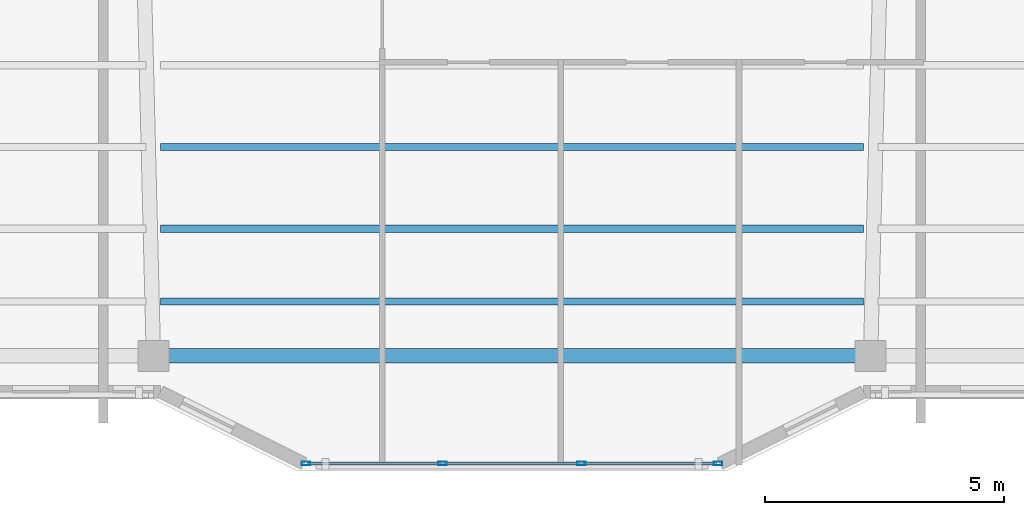
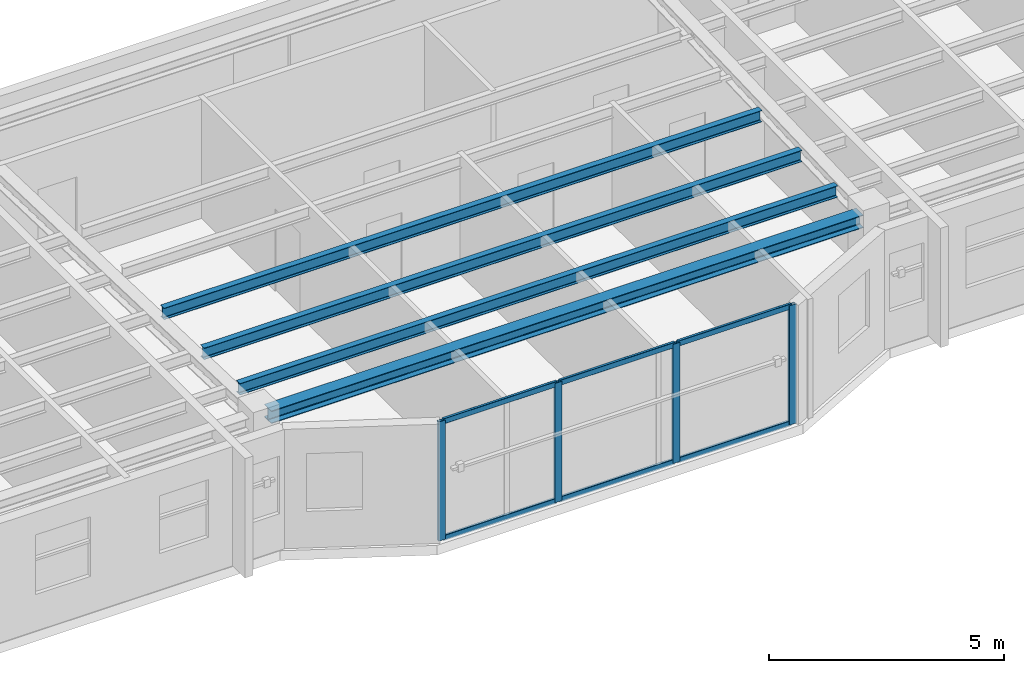
# One storey, part 2 of 13: 10 members, 4 beams, 1 element without a shape of its own.
"""IFC4 building model written with IfcOpenShell, lengths in metres."""

from ifc_helpers import new_model, si_unit, direction, frame, origin, origin_2d, place, context, subcontext, project, spatial, hollow_rectangle, i_section, extrude, material, layer, layer_set, material_profile, profile_set, type_object, element, aggregate, save


model = new_model("IFC4")

# Units and contexts
model_context = context("Model", 3, precision=1e-05, world=origin(), true_north=direction((0.0, 1.0)))
body_context = subcontext(model_context, "Body", "Model", "MODEL_VIEW")
ifc_project = project(units=[si_unit("LENGTHUNIT", "METRE"), si_unit("AREAUNIT", "SQUARE_METRE"), si_unit("VOLUMEUNIT", "CUBIC_METRE"), si_unit("PLANEANGLEUNIT", "RADIAN"), si_unit("MASSUNIT", "GRAM", prefix="KILO")], contexts=[model_context])

# Site, building, storey
site_placement = place(None, origin())
site = spatial("IfcSite", under=ifc_project, at=site_placement, CompositionType="ELEMENT")
building_placement = place(site_placement, origin())
building = spatial("IfcBuilding", under=site, at=building_placement, Name="Tarnavaz Court Tower", CompositionType="ELEMENT")
storey_placement = place(building_placement, frame((0.0, 0.0, 248.199951171875)))
storey = spatial("IfcBuildingStorey", under=building, at=storey_placement, Name="L67", CompositionType="ELEMENT", Elevation=248.199951171875)

# Beams
ifc_material_1 = material(Name="Steel S355", Category="steel")
ifc_material_profile_1 = material_profile(ifc_material_1, i_section(OverallWidth=0.14990234375, OverallDepth=0.300048828125, WebThickness=0.007080078125, FlangeThickness=0.0107421875, FilletRadius=0.014892578125, at=origin_2d()), Name="IPE 300")
ifc_profile_set_1 = profile_set([ifc_material_profile_1], Name="Steel S355")
beam_type_1 = type_object("IfcBeamType", Name="BM-J-IPE300", PredefinedType="JOIST", material=ifc_profile_set_1)
for number, where, z_axis, x_axis, name in (
    (1, (-7.35009765625, -15.72998046875, 2.949951171875), (1.0, 0.0, 0.0), (0.0, 1.0, 0.0), "L67 Beam JS3-2"),
    (2, (-7.35009765625, -17.43994140625, 2.949951171875), (1.0, 0.0, 0.0), (0.0, 1.0, 0.0), "L67 Beam JS4-2"),
    (3, (-7.35009765625, -18.9599609375, 2.949951171875), (1.0, 0.0, 0.0), (0.0, 1.0, 0.0), "L67 Beam JS5-2"),
):
    element("IfcBeam", number, at=place(storey_placement, frame(where, z_axis=z_axis, x_axis=x_axis)), inside=storey, type_object=beam_type_1, Name=name, PredefinedType="JOIST", context=body_context, shape_type="SweptSolid", body=[
        extrude(i_section(OverallWidth=0.14990234375, OverallDepth=0.300048828125, WebThickness=0.007080078125, FlangeThickness=0.0107421875, FilletRadius=0.014892578125, at=origin_2d()), origin(), (0.0, 0.0, 1.0), 14.7001953125),
    ])
ifc_material_profile_2 = material_profile(ifc_material_1, i_section(OverallWidth=0.300048828125, OverallDepth=0.330078125, WebThickness=0.009521484375, FlangeThickness=0.0166015625, FilletRadius=0.027099609375, at=origin_2d()), Name="HEA 340")
ifc_profile_set_2 = profile_set([ifc_material_profile_2], Name="Steel S355")
beam_type_2 = type_object("IfcBeamType", Name="BM-SP-HEA340", PredefinedType="BEAM", material=ifc_profile_set_2)
beam_placement = place(storey_placement, frame((-7.280029296875, -20.10009765625, 2.93505859375), z_axis=(1.0, 0.0, 0.0), x_axis=(0.0, 1.0, 0.0)))
element("IfcBeam", 4, at=beam_placement, inside=storey, type_object=beam_type_2, Name="L67 Beam PR-PS-2-PS-3", PredefinedType="BEAM", context=body_context, shape_type="SweptSolid", body=[
    extrude(i_section(OverallWidth=0.300048828125, OverallDepth=0.330078125, WebThickness=0.009521484375, FlangeThickness=0.0166015625, FilletRadius=0.027099609375, at=origin_2d()), origin(), (0.0, 0.0, 1.0), 14.56005859375),
])

# Curtain wall, members
ifc_material_2 = material(Name="Anodised Aluminium 6063-T6 and Solar Low-E Glazing", Category="aluminium")
ifc_layer = layer(ifc_material_2, 0.159912109375)
ifc_layer_set = layer_set([ifc_layer], Name="Anodised Aluminium 6063-T6 and Solar Low-E Glazing")
curtain_wall_type = type_object("IfcCurtainWallType", Name="CW-SYS-03", PredefinedType="NOTDEFINED", material=ifc_layer_set)
curtain_wall_placement = place(storey_placement, origin())
curtain_wall = element("IfcCurtainWall", 5, at=curtain_wall_placement, inside=storey, type_object=curtain_wall_type, Name="L67 Iwan Prow Curtain Wall 17", PredefinedType="NOTDEFINED")
ifc_material_3 = material(Name="Anodised Aluminium 6063-T6", Category="aluminium")
ifc_material_profile_3 = material_profile(ifc_material_3, hollow_rectangle(XDim=0.074951171875, YDim=0.179931640625, WallThickness=0.0048828125, InnerFilletRadius=0.0048828125, OuterFilletRadius=0.010009765625, at=origin_2d()), Name="ALU RHS 180X75X5")
ifc_profile_set_3 = profile_set([ifc_material_profile_3], Name="Anodised Aluminium 6063-T6")
member_type_1 = type_object("IfcMemberType", Name="CW-MUL-180", PredefinedType="MULLION", material=ifc_profile_set_3)
member_1_placement = place(storey_placement, frame((4.3125, -22.35009765625, 0.0), z_axis=(0.0, 0.0, 1.0), x_axis=(0.0, -1.0, 0.0)))
member_1 = element("IfcMember", 6, at=member_1_placement, type_object=member_type_1, Name="CW mullion 1", PredefinedType="MULLION", context=body_context, shape_type="SweptSolid", body=[
    extrude(hollow_rectangle(XDim=0.074951171875, YDim=0.179931640625, WallThickness=0.0048828125, InnerFilletRadius=0.0048828125, OuterFilletRadius=0.010009765625, at=origin_2d()), origin(), (0.0, 0.0, 1.0), 3.10009765625),
])
member_2_placement = place(storey_placement, frame((1.449951171875, -22.35009765625, 0.0), z_axis=(0.0, 0.0, 1.0), x_axis=(0.0, -1.0, 0.0)))
member_2 = element("IfcMember", 7, at=member_2_placement, type_object=member_type_1, Name="CW mullion 2", PredefinedType="MULLION", context=body_context, shape_type="SweptSolid", body=[
    extrude(hollow_rectangle(XDim=0.074951171875, YDim=0.179931640625, WallThickness=0.0048828125, InnerFilletRadius=0.0048828125, OuterFilletRadius=0.010009765625, at=origin_2d()), origin(), (0.0, 0.0, 1.0), 3.10009765625),
])
member_3_placement = place(storey_placement, frame((-1.449951171875, -22.35009765625, 0.0), z_axis=(0.0, 0.0, 1.0), x_axis=(0.0, -1.0, 0.0)))
member_3 = element("IfcMember", 8, at=member_3_placement, type_object=member_type_1, Name="CW mullion 3", PredefinedType="MULLION", context=body_context, shape_type="SweptSolid", body=[
    extrude(hollow_rectangle(XDim=0.074951171875, YDim=0.179931640625, WallThickness=0.0048828125, InnerFilletRadius=0.0048828125, OuterFilletRadius=0.010009765625, at=origin_2d()), origin(), (0.0, 0.0, 1.0), 3.10009765625),
])
member_4_placement = place(storey_placement, frame((-4.3125, -22.35009765625, 0.0), z_axis=(0.0, 0.0, 1.0), x_axis=(0.0, -1.0, 0.0)))
member_4 = element("IfcMember", 9, at=member_4_placement, type_object=member_type_1, Name="CW mullion 4", PredefinedType="MULLION", context=body_context, shape_type="SweptSolid", body=[
    extrude(hollow_rectangle(XDim=0.074951171875, YDim=0.179931640625, WallThickness=0.0048828125, InnerFilletRadius=0.0048828125, OuterFilletRadius=0.010009765625, at=origin_2d()), origin(), (0.0, 0.0, 1.0), 3.10009765625),
])
ifc_material_profile_4 = material_profile(ifc_material_3, hollow_rectangle(XDim=0.06494140625, YDim=0.139892578125, WallThickness=0.00390625, InnerFilletRadius=0.00390625, OuterFilletRadius=0.008056640625, at=origin_2d()), Name="ALU RHS 140X65X4")
ifc_profile_set_4 = profile_set([ifc_material_profile_4], Name="Anodised Aluminium 6063-T6")
member_type_2 = type_object("IfcMemberType", Name="CW-TRN-140", PredefinedType="USERDEFINED", material=ifc_profile_set_4)
member_5_placement = place(storey_placement, frame((4.27490234375, -22.35009765625, 0.032470703125), z_axis=(-1.0, 0.0, 0.0), x_axis=(0.0, -1.0, 0.0)))
member_5 = element("IfcMember", 10, at=member_5_placement, type_object=member_type_2, Name="CW transom 1.1", ObjectType="TRANSOM", PredefinedType="USERDEFINED", context=body_context, shape_type="SweptSolid", body=[
    extrude(hollow_rectangle(XDim=0.06494140625, YDim=0.139892578125, WallThickness=0.00390625, InnerFilletRadius=0.00390625, OuterFilletRadius=0.008056640625, at=origin_2d()), origin(), (0.0, 0.0, 1.0), 2.787353515625),
])
member_6_placement = place(storey_placement, frame((4.27490234375, -22.35009765625, 3.067626953125), z_axis=(-1.0, 0.0, 0.0), x_axis=(0.0, -1.0, 0.0)))
member_6 = element("IfcMember", 11, at=member_6_placement, type_object=member_type_2, Name="CW transom 1.2", ObjectType="TRANSOM", PredefinedType="USERDEFINED", context=body_context, shape_type="SweptSolid", body=[
    extrude(hollow_rectangle(XDim=0.06494140625, YDim=0.139892578125, WallThickness=0.00390625, InnerFilletRadius=0.00390625, OuterFilletRadius=0.008056640625, at=origin_2d()), origin(), (0.0, 0.0, 1.0), 2.787353515625),
])
member_7_placement = place(storey_placement, frame((1.41259765625, -22.35009765625, 0.032470703125), z_axis=(-1.0, 0.0, 0.0), x_axis=(0.0, -1.0, 0.0)))
member_7 = element("IfcMember", 12, at=member_7_placement, type_object=member_type_2, Name="CW transom 2.1", ObjectType="TRANSOM", PredefinedType="USERDEFINED", context=body_context, shape_type="SweptSolid", body=[
    extrude(hollow_rectangle(XDim=0.06494140625, YDim=0.139892578125, WallThickness=0.00390625, InnerFilletRadius=0.00390625, OuterFilletRadius=0.008056640625, at=origin_2d()), origin(), (0.0, 0.0, 1.0), 2.8251953125),
])
member_8_placement = place(storey_placement, frame((1.41259765625, -22.35009765625, 3.067626953125), z_axis=(-1.0, 0.0, 0.0), x_axis=(0.0, -1.0, 0.0)))
member_8 = element("IfcMember", 13, at=member_8_placement, type_object=member_type_2, Name="CW transom 2.2", ObjectType="TRANSOM", PredefinedType="USERDEFINED", context=body_context, shape_type="SweptSolid", body=[
    extrude(hollow_rectangle(XDim=0.06494140625, YDim=0.139892578125, WallThickness=0.00390625, InnerFilletRadius=0.00390625, OuterFilletRadius=0.008056640625, at=origin_2d()), origin(), (0.0, 0.0, 1.0), 2.8251953125),
])
member_9_placement = place(storey_placement, frame((-1.487548828125, -22.35009765625, 0.032470703125), z_axis=(-1.0, 0.0, 0.0), x_axis=(0.0, -1.0, 0.0)))
member_9 = element("IfcMember", 14, at=member_9_placement, type_object=member_type_2, Name="CW transom 3.1", ObjectType="TRANSOM", PredefinedType="USERDEFINED", context=body_context, shape_type="SweptSolid", body=[
    extrude(hollow_rectangle(XDim=0.06494140625, YDim=0.139892578125, WallThickness=0.00390625, InnerFilletRadius=0.00390625, OuterFilletRadius=0.008056640625, at=origin_2d()), origin(), (0.0, 0.0, 1.0), 2.787353515625),
])
member_10_placement = place(storey_placement, frame((-1.487548828125, -22.35009765625, 3.067626953125), z_axis=(-1.0, 0.0, 0.0), x_axis=(0.0, -1.0, 0.0)))
member_10 = element("IfcMember", 15, at=member_10_placement, type_object=member_type_2, Name="CW transom 3.2", ObjectType="TRANSOM", PredefinedType="USERDEFINED", context=body_context, shape_type="SweptSolid", body=[
    extrude(hollow_rectangle(XDim=0.06494140625, YDim=0.139892578125, WallThickness=0.00390625, InnerFilletRadius=0.00390625, OuterFilletRadius=0.008056640625, at=origin_2d()), origin(), (0.0, 0.0, 1.0), 2.787353515625),
])
aggregate(curtain_wall, [member_1, member_2, member_3, member_4, member_5, member_6, member_7, member_8, member_9, member_10])

save(model, "model.ifc")
